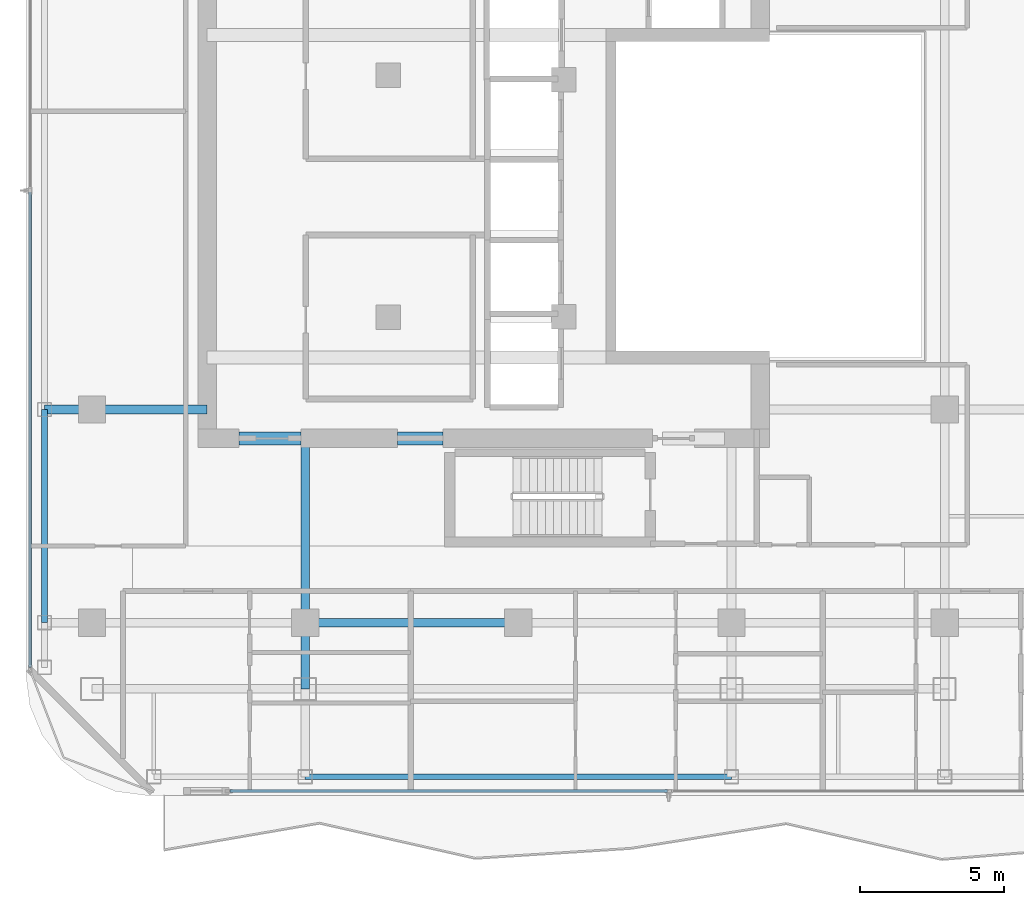
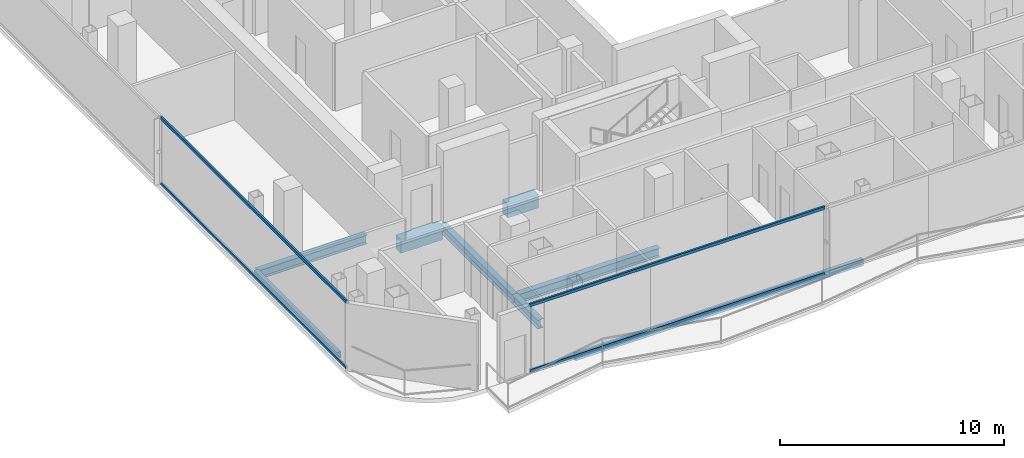
# One storey, part 3 of 26: 8 beams, 4 members, 2 elements without a shape of their own.
"""IFC4 building model written with IfcOpenShell, lengths in metres."""

from ifc_helpers import new_model, si_unit, direction, frame, origin, origin_2d, place, context, subcontext, project, spatial, rectangle, hollow_rectangle, i_section, extrude, material, layer, layer_set, material_profile, profile_set, type_object, element, aggregate, save


model = new_model("IFC4")

# Units and contexts
model_context = context("Model", 3, precision=1e-05, world=origin(), true_north=direction((0.0, 1.0)))
body_context = subcontext(model_context, "Body", "Model", "MODEL_VIEW")
ifc_project = project(units=[si_unit("LENGTHUNIT", "METRE"), si_unit("AREAUNIT", "SQUARE_METRE"), si_unit("VOLUMEUNIT", "CUBIC_METRE"), si_unit("PLANEANGLEUNIT", "RADIAN"), si_unit("MASSUNIT", "GRAM", prefix="KILO")], contexts=[model_context])

# Site, building, storey
site_placement = place(None, origin())
site = spatial("IfcSite", under=ifc_project, at=site_placement, CompositionType="ELEMENT")
building_placement = place(site_placement, origin())
building = spatial("IfcBuilding", under=site, at=building_placement, Name="Khorvyn Point Tower", CompositionType="ELEMENT")
storey_placement = place(building_placement, frame((0.0, 0.0, 262.5)))
storey = spatial("IfcBuildingStorey", under=building, at=storey_placement, Name="L64", CompositionType="ELEMENT", Elevation=262.5)

# Curtain wall, members
ifc_material_1 = material(Name="Anodised aluminium 6063-T6 and laminated Low-E glass", Category="aluminium")
ifc_layer = layer(ifc_material_1, 0.18994140625)
ifc_layer_set = layer_set([ifc_layer], Name="Stick-Built High-Wind Curtain Wall CW-SYS-04")
curtain_wall_type = type_object("IfcCurtainWallType", Name="Stick-Built High-Wind Curtain Wall CW-SYS-04", PredefinedType="NOTDEFINED", material=ifc_layer_set)
curtain_wall_1_placement = place(storey_placement, origin())
curtain_wall_1 = element("IfcCurtainWall", 1, at=curtain_wall_1_placement, inside=storey, type_object=curtain_wall_type, Name="Curtain Wall", PredefinedType="NOTDEFINED")
ifc_material_2 = material(Name="Anodised aluminium 6063-T6", Category="aluminium")
ifc_material_profile_1 = material_profile(ifc_material_2, hollow_rectangle(XDim=0.10009765625, YDim=0.159912109375, WallThickness=0.00439453125, at=origin_2d()))
ifc_profile_set_1 = profile_set([ifc_material_profile_1], Name="Anodised aluminium 6063-T6 ALU-TRN-100x160")
member_type = type_object("IfcMemberType", Name="Anodised Aluminium 6063-T6 Transom ALU-TRN-100x160", PredefinedType="USERDEFINED", material=ifc_profile_set_1)
member_1_placement = place(storey_placement, frame((5.17041015625, -20.64990234375, 0.050048828125), z_axis=(-1.0, 0.0, 0.0), x_axis=(0.0, -1.0, 0.0)))
member_1 = element("IfcMember", 2, at=member_1_placement, type_object=member_type, Name="Transom", ObjectType="TRANSOM", PredefinedType="USERDEFINED", context=body_context, shape_type="SweptSolid", body=[
    extrude(hollow_rectangle(XDim=0.10009765625, YDim=0.159912109375, WallThickness=0.00439453125, at=origin_2d()), origin(), (0.0, 0.0, 1.0), 15.179443359375),
])
member_2_placement = place(storey_placement, frame((5.17041015625, -20.64990234375, 3.6298828125), z_axis=(-1.0, 0.0, 0.0), x_axis=(0.0, -1.0, 0.0)))
member_2 = element("IfcMember", 3, at=member_2_placement, type_object=member_type, Name="Transom", ObjectType="TRANSOM", PredefinedType="USERDEFINED", context=body_context, shape_type="SweptSolid", body=[
    extrude(hollow_rectangle(XDim=0.10009765625, YDim=0.159912109375, WallThickness=0.00439453125, at=origin_2d()), origin(), (0.0, 0.0, 1.0), 15.179443359375),
])
aggregate(curtain_wall_1, [member_1, member_2])

curtain_wall_2_placement = place(storey_placement, origin())
curtain_wall_2 = element("IfcCurtainWall", 4, at=curtain_wall_2_placement, inside=storey, type_object=curtain_wall_type, Name="Curtain Wall", PredefinedType="NOTDEFINED")
member_3_placement = place(storey_placement, frame((-16.949951171875, -16.35009765625, 0.050048828125), z_axis=(0.0, 1.0, 0.0), x_axis=(-1.0, 0.0, 0.0)))
member_3 = element("IfcMember", 5, at=member_3_placement, type_object=member_type, Name="Transom", ObjectType="TRANSOM", PredefinedType="USERDEFINED", context=body_context, shape_type="SweptSolid", body=[
    extrude(hollow_rectangle(XDim=0.10009765625, YDim=0.159912109375, WallThickness=0.00439453125, at=origin_2d()), origin(), (0.0, 0.0, 1.0), 16.5),
])
member_4_placement = place(storey_placement, frame((-16.949951171875, -16.35009765625, 3.6298828125), z_axis=(0.0, 1.0, 0.0), x_axis=(-1.0, 0.0, 0.0)))
member_4 = element("IfcMember", 6, at=member_4_placement, type_object=member_type, Name="Transom", ObjectType="TRANSOM", PredefinedType="USERDEFINED", context=body_context, shape_type="SweptSolid", body=[
    extrude(hollow_rectangle(XDim=0.10009765625, YDim=0.159912109375, WallThickness=0.00439453125, at=origin_2d()), origin(), (0.0, 0.0, 1.0), 16.5),
])
aggregate(curtain_wall_2, [member_3, member_4])

# Beams
ifc_material_3 = material(Name="Concrete C40/50", Category="concrete")
ifc_material_profile_2 = material_profile(ifc_material_3, rectangle(XDim=0.449951171875, YDim=0.75, at=origin_2d()))
ifc_profile_set_2 = profile_set([ifc_material_profile_2], Name="Concrete C40/50 RC450x750")
beam_type_1 = type_object("IfcBeamType", Name="Concrete C40/50 Beam RC450x750", PredefinedType="BEAM", material=ifc_profile_set_2)
beam_1_placement = place(storey_placement, frame((-9.699951171875, -8.39990234375, -0.594970703125), z_axis=(1.0, 0.0, 0.0), x_axis=(0.0, 1.0, 0.0)))
element("IfcBeam", 7, at=beam_1_placement, inside=storey, type_object=beam_type_1, Name="L64 Core Southwest Portal Coupling Beam", PredefinedType="BEAM", context=body_context, shape_type="SweptSolid", body=[
    extrude(rectangle(XDim=0.449951171875, YDim=0.75, at=origin_2d()), origin(), (0.0, 0.0, 1.0), 2.14990234375),
])
beam_2_placement = place(storey_placement, frame((-4.199951171875, -8.39990234375, -0.594970703125), z_axis=(1.0, 0.0, 0.0), x_axis=(0.0, 1.0, 0.0)))
element("IfcBeam", 8, at=beam_2_placement, inside=storey, type_object=beam_type_1, Name="L64 Core Shuttle Portal Coupling Beam", PredefinedType="BEAM", context=body_context, shape_type="SweptSolid", body=[
    extrude(rectangle(XDim=0.449951171875, YDim=0.75, at=origin_2d()), origin(), (0.0, 0.0, 1.0), 1.579833984375),
])
ifc_material_4 = material(Name="Steel S355", Category="steel")
ifc_material_profile_3 = material_profile(ifc_material_4, i_section(OverallWidth=0.300048828125, OverallDepth=0.488037109375, WebThickness=0.010986328125, FlangeThickness=0.01806640625, at=origin_2d()))
ifc_profile_set_3 = profile_set([ifc_material_profile_3], Name="Steel S355 H488x300x11x18")
beam_type_2 = type_object("IfcBeamType", Name="Steel S355 Spandrel H488x300x11x18", PredefinedType="SPANDREL", material=ifc_profile_set_3)
beam_3_placement = place(storey_placement, frame((-7.39990234375, -14.800048828125, -0.464111328125), z_axis=(1.0, 0.0, 0.0), x_axis=(0.0, 1.0, 0.0)))
element("IfcBeam", 9, at=beam_3_placement, inside=storey, type_object=beam_type_2, Name="Beam", PredefinedType="SPANDREL", context=body_context, shape_type="SweptSolid", body=[
    extrude(i_section(OverallWidth=0.300048828125, OverallDepth=0.488037109375, WebThickness=0.010986328125, FlangeThickness=0.01806640625, at=origin_2d()), origin(), (0.0, 0.0, 1.0), 7.39990234375),
])
beam_4_placement = place(storey_placement, frame((-16.449951171875, -7.39990234375, -0.464111328125), z_axis=(1.0, 0.0, 0.0), x_axis=(0.0, 1.0, 0.0)))
element("IfcBeam", 10, at=beam_4_placement, inside=storey, type_object=beam_type_2, Name="Beam", PredefinedType="SPANDREL", context=body_context, shape_type="SweptSolid", body=[
    extrude(i_section(OverallWidth=0.300048828125, OverallDepth=0.488037109375, WebThickness=0.010986328125, FlangeThickness=0.01806640625, at=origin_2d()), origin(), (0.0, 0.0, 1.0), 5.64990234375),
])
beam_5_placement = place(storey_placement, frame((-7.39990234375, -17.10009765625, -0.464111328125), z_axis=(0.0, 1.0, 0.0), x_axis=(-1.0, 0.0, 0.0)))
element("IfcBeam", 11, at=beam_5_placement, inside=storey, type_object=beam_type_2, Name="Beam", PredefinedType="SPANDREL", context=body_context, shape_type="SweptSolid", body=[
    extrude(i_section(OverallWidth=0.300048828125, OverallDepth=0.488037109375, WebThickness=0.010986328125, FlangeThickness=0.01806640625, at=origin_2d()), origin(), (0.0, 0.0, 1.0), 2.300048828125),
])
beam_6_placement = place(storey_placement, frame((-7.39990234375, -14.800048828125, -0.464111328125), z_axis=(0.0, 1.0, 0.0), x_axis=(-1.0, 0.0, 0.0)))
element("IfcBeam", 12, at=beam_6_placement, inside=storey, type_object=beam_type_2, Name="Beam", PredefinedType="SPANDREL", context=body_context, shape_type="SweptSolid", body=[
    extrude(i_section(OverallWidth=0.300048828125, OverallDepth=0.488037109375, WebThickness=0.010986328125, FlangeThickness=0.01806640625, at=origin_2d()), origin(), (0.0, 0.0, 1.0), 6.400146484375),
])
ifc_material_profile_4 = material_profile(ifc_material_4, hollow_rectangle(XDim=0.199951171875, YDim=0.35009765625, WallThickness=0.013916015625, at=origin_2d()))
ifc_profile_set_4 = profile_set([ifc_material_profile_4], Name="Steel S355 RHS350x200x14")
beam_type_3 = type_object("IfcBeamType", Name="Steel S355 Spandrel RHS350x200x14", PredefinedType="SPANDREL", material=ifc_profile_set_4)
beam_7_placement = place(storey_placement, frame((-7.39990234375, -20.14990234375, -0.39501953125), z_axis=(1.0, 0.0, 0.0), x_axis=(0.0, 1.0, 0.0)))
element("IfcBeam", 13, at=beam_7_placement, inside=storey, type_object=beam_type_3, Name="Beam", PredefinedType="SPANDREL", context=body_context, shape_type="SweptSolid", body=[
    extrude(hollow_rectangle(XDim=0.199951171875, YDim=0.35009765625, WallThickness=0.013916015625, at=origin_2d()), origin(), (0.0, 0.0, 1.0), 14.7998046875),
])
beam_8_placement = place(storey_placement, frame((-16.449951171875, -14.800048828125, -0.39501953125), z_axis=(0.0, 1.0, 0.0), x_axis=(-1.0, 0.0, 0.0)))
element("IfcBeam", 14, at=beam_8_placement, inside=storey, type_object=beam_type_3, Name="Beam", PredefinedType="SPANDREL", context=body_context, shape_type="SweptSolid", body=[
    extrude(hollow_rectangle(XDim=0.199951171875, YDim=0.35009765625, WallThickness=0.013916015625, at=origin_2d()), origin(), (0.0, 0.0, 1.0), 7.400146484375),
])

save(model, "model.ifc")
